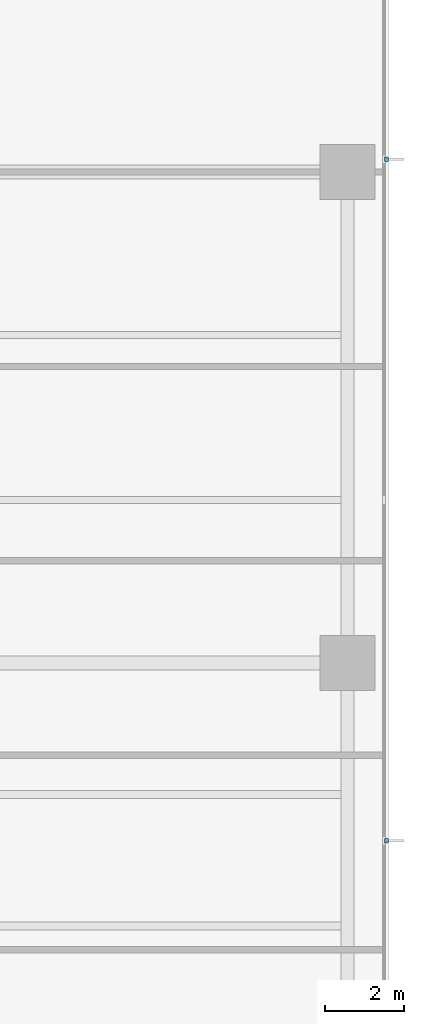
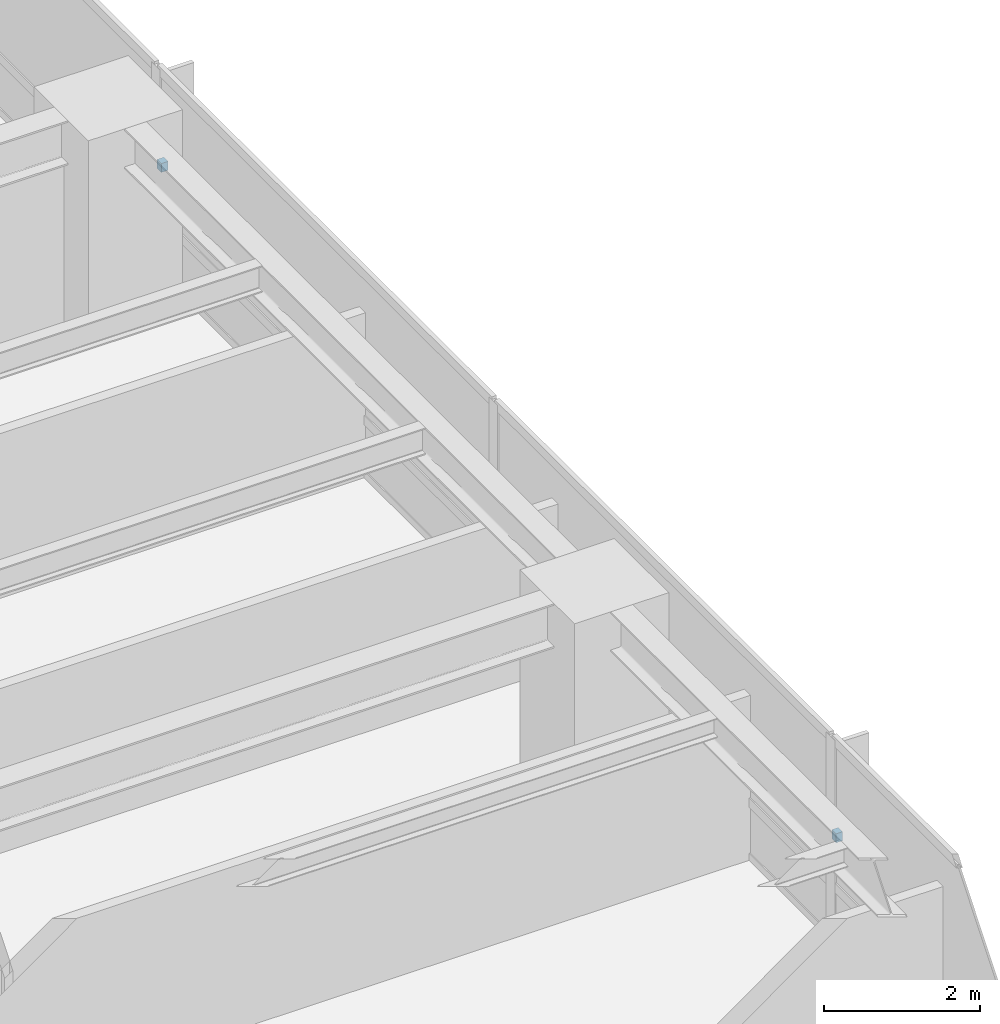
# One storey, part 13 of 16: 2 discrete accessories.
"""IFC4 building model written with IfcOpenShell, lengths in metres."""

from ifc_helpers import new_model, si_unit, direction, frame, origin, place, context, subcontext, project, spatial, polyline, outline, extrude, material, type_object, element, save


model = new_model("IFC4")

# Units and contexts
model_context = context("Model", 3, precision=1e-05, world=origin(), true_north=direction((0.0, 1.0)))
body_context = subcontext(model_context, "Body", "Model", "MODEL_VIEW")
ifc_project = project(units=[si_unit("LENGTHUNIT", "METRE"), si_unit("AREAUNIT", "SQUARE_METRE"), si_unit("VOLUMEUNIT", "CUBIC_METRE"), si_unit("PLANEANGLEUNIT", "RADIAN"), si_unit("MASSUNIT", "GRAM", prefix="KILO")], contexts=[model_context])

# Site, building, storey
site_placement = place(None, origin())
site = spatial("IfcSite", under=ifc_project, at=site_placement, CompositionType="ELEMENT")
building_placement = place(site_placement, origin())
building = spatial("IfcBuilding", under=site, at=building_placement, Name="Qalmaran Belvedere Hotel", CompositionType="ELEMENT")
storey_placement = place(building_placement, frame((0.0, 0.0, 36.89990234375)))
storey = spatial("IfcBuildingStorey", under=building, at=storey_placement, Name="L08", CompositionType="ELEMENT", Elevation=36.89990234375)

# Discrete accessories
ifc_material = material(Name="Stainless Steel 1.4401", Category="steel")
discrete_accessory_type = type_object("IfcDiscreteAccessoryType", Name="BRK-FIN-SS316", PredefinedType="BRACKET", material=ifc_material)
discrete_accessory_1_placement = place(storey_placement, frame((0.0, 0.0, 1.56005859375)))
element("IfcDiscreteAccessory", 1, at=discrete_accessory_1_placement, inside=storey, type_object=discrete_accessory_type, Name="L08 Fin Bracket 1", PredefinedType="BRACKET", context=body_context, shape_type="SweptSolid", body=[
    extrude(outline(polyline([(61.695068359375, 15.919921875), (61.79248046875, 15.919921875), (61.79248046875, 16.030029296875), (61.695068359375, 16.030029296875), (61.695068359375, 15.919921875)])), origin(), (0.0, 0.0, 1.0), 0.14013671875),
])
discrete_accessory_2_placement = place(storey_placement, frame((0.0, 0.0, 1.56005859375)))
element("IfcDiscreteAccessory", 2, at=discrete_accessory_2_placement, inside=storey, type_object=discrete_accessory_type, Name="L08 Fin Bracket 3", PredefinedType="BRACKET", context=body_context, shape_type="SweptSolid", body=[
    extrude(outline(polyline([(61.695068359375, 33.27001953125), (61.79248046875, 33.27001953125), (61.79248046875, 33.3798828125), (61.695068359375, 33.3798828125), (61.695068359375, 33.27001953125)])), origin(), (0.0, 0.0, 1.0), 0.14013671875),
])

save(model, "model.ifc")
